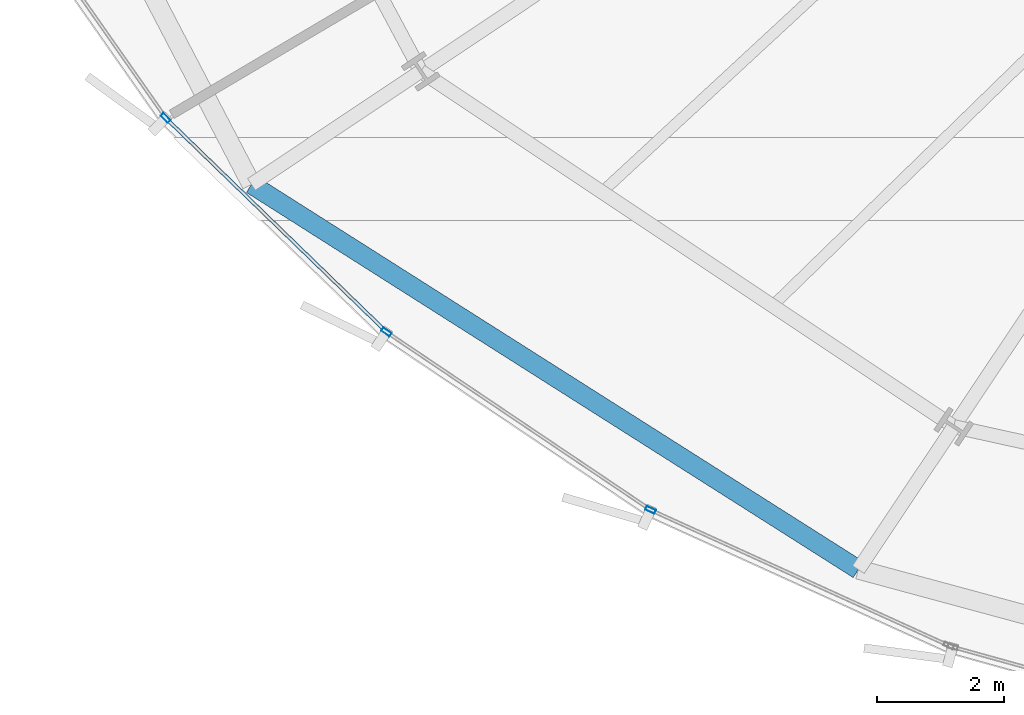
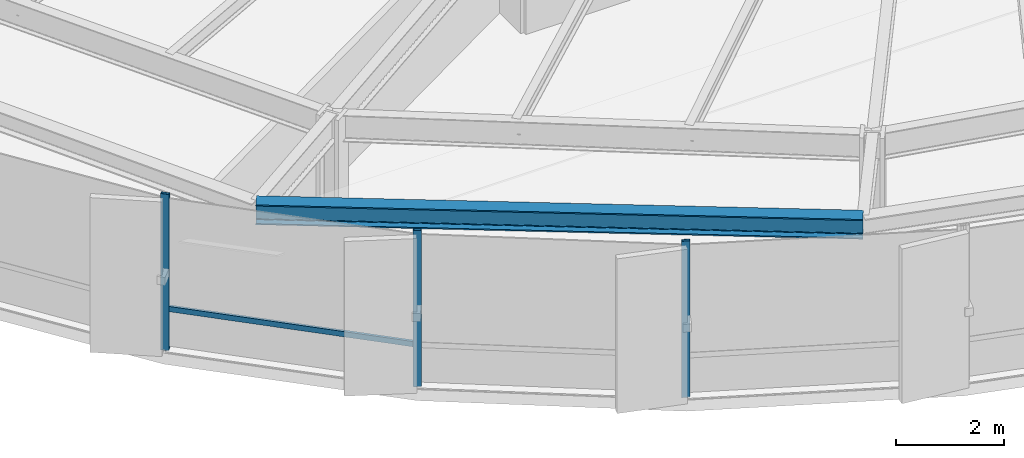
# One storey, part 2 of 38: 4 members, 1 beam, 1 element without a shape of its own.
"""IFC4 building model written with IfcOpenShell, lengths in metres."""

from ifc_helpers import new_model, si_unit, direction, frame, origin, origin_2d, place, context, subcontext, project, spatial, hollow_rectangle, i_section, extrude, source, transform, mapped, material, layer, layer_set, material_profile, profile_set, type_object, element, aggregate, save


model = new_model("IFC4")

# Units and contexts
model_context = context("Model", 3, precision=1e-05, world=origin(), true_north=direction((0.0, 1.0)))
body_context = subcontext(model_context, "Body", "Model", "MODEL_VIEW")
ifc_project = project(units=[si_unit("LENGTHUNIT", "METRE"), si_unit("AREAUNIT", "SQUARE_METRE"), si_unit("VOLUMEUNIT", "CUBIC_METRE"), si_unit("PLANEANGLEUNIT", "RADIAN"), si_unit("MASSUNIT", "GRAM", prefix="KILO"), si_unit("THERMODYNAMICTEMPERATUREUNIT", "KELVIN")], contexts=[model_context])

# Site, building, storey
site_placement = place(None, origin())
site = spatial("IfcSite", under=ifc_project, at=site_placement, CompositionType="ELEMENT")
building_placement = place(site_placement, origin())
building = spatial("IfcBuilding", under=site, at=building_placement, Name="Kethvar Cultural Tower", CompositionType="ELEMENT")
storey_placement = place(building_placement, frame((0.0, 0.0, 52.39990234375)))
storey = spatial("IfcBuildingStorey", under=building, at=storey_placement, Name="L12", CompositionType="ELEMENT", Elevation=52.39990234375)

# Beam
ifc_material_1 = material(Name="Steel S355J2", Category="steel")
ifc_material_profile_1 = material_profile(ifc_material_1, i_section(OverallWidth=0.300048828125, OverallDepth=0.449951171875, WebThickness=0.013916015625, FlangeThickness=0.02587890625, FilletRadius=0.027099609375, at=origin_2d()), Name="Steel S355J2 — HEB450")
ifc_profile_set_1 = profile_set([ifc_material_profile_1], Name="Steel S355J2 — HEB450")
beam_type = type_object("IfcBeamType", Name="BM-SP450", PredefinedType="SPANDREL", material=ifc_profile_set_1)
shared_shape_1 = source(origin(), body_context, "Body", "SweptSolid", [
    extrude(i_section(OverallWidth=0.300048828125, OverallDepth=0.449951171875, WebThickness=0.013916015625, FlangeThickness=0.02587890625, FilletRadius=0.027099609375, at=origin_2d()), origin(), (0.0, 0.0, 1.0), 11.2958984375),
])
beam_placement = place(storey_placement, frame((22.263916015625, 11.405517578125, 3.322998046875), z_axis=(0.844322086524, -0.535835995625, 0.0), x_axis=(0.535835995625, 0.844322086524, 0.0)))
element("IfcBeam", 1, at=beam_placement, inside=storey, type_object=beam_type, Name="L12 Perimeter Spandrel Beam SP-10", PredefinedType="SPANDREL", context=body_context, shape_type="MappedRepresentation", body=[
    mapped(shared_shape_1, transform((0.0, 0.0, 0.0), scale=1.0)),
])

# Curtain wall, members
ifc_material_2 = material(Name="Aluminium 6063-T6", Category="aluminium")
ifc_layer = layer(ifc_material_2, 0.179931640625, Name="Aluminium 6063-T6", Category="aluminium")
ifc_layer_set = layer_set([ifc_layer], Name="Aluminium 6063-T6 (180 mm)")
curtain_wall_type = type_object("IfcCurtainWallType", Name="CW-SYS-02-Z1", PredefinedType="NOTDEFINED", material=ifc_layer_set)
curtain_wall_placement = place(storey_placement, origin())
curtain_wall = element("IfcCurtainWall", 2, at=curtain_wall_placement, inside=storey, type_object=curtain_wall_type, Name="L12 Curtain Wall Run 04", PredefinedType="NOTDEFINED")
ifc_material_profile_2 = material_profile(ifc_material_2, hollow_rectangle(XDim=0.06494140625, YDim=0.159912109375, WallThickness=0.0048828125, at=origin_2d()), Name="Aluminium 6063-T6 — RHS160x65x5")
ifc_profile_set_2 = profile_set([ifc_material_profile_2], Name="Aluminium 6063-T6 — RHS160x65x5")
member_type_1 = type_object("IfcMemberType", Name="CW-SYS-02-Z1-MUL", PredefinedType="MULLION", material=ifc_profile_set_2)
shared_shape_2 = source(origin(), body_context, "Body", "SweptSolid", [
    extrude(hollow_rectangle(XDim=0.06494140625, YDim=0.159912109375, WallThickness=0.0048828125, at=origin_2d()), origin(), (0.0, 0.0, 1.0), 3.550048828125),
])
member_1_placement = place(storey_placement, frame((20.915283203125, 12.4501953125, 0.0), z_axis=(0.0, 0.0, 1.0), x_axis=(0.695887728832, 0.718150589265, 0.0)))
member_1 = element("IfcMember", 3, at=member_1_placement, type_object=member_type_1, Name="CW-L12-R04 Mullion 4", PredefinedType="MULLION", context=body_context, shape_type="MappedRepresentation", body=[
    mapped(shared_shape_2, transform((0.0, 0.0, 0.0), scale=1.0)),
])
member_2_placement = place(storey_placement, frame((24.384521484375, 9.085693359375, 0.0), z_axis=(0.0, 0.0, 1.0), x_axis=(0.558382348132, 0.829583722896, 0.0)))
member_2 = element("IfcMember", 4, at=member_2_placement, type_object=member_type_1, Name="CW-L12-R04 Mullion 5", PredefinedType="MULLION", context=body_context, shape_type="MappedRepresentation", body=[
    mapped(shared_shape_2, transform((0.0, 0.0, 0.0), scale=1.0)),
])
member_3_placement = place(storey_placement, frame((28.535888671875, 6.28955078125, 0.0), z_axis=(0.0, 0.0, 1.0), x_axis=(0.413994320354, 0.910279464074, 0.0)))
member_3 = element("IfcMember", 5, at=member_3_placement, type_object=member_type_1, Name="CW-L12-R04 Mullion 6", PredefinedType="MULLION", context=body_context, shape_type="MappedRepresentation", body=[
    mapped(shared_shape_2, transform((0.0, 0.0, 0.0), scale=1.0)),
])
ifc_material_profile_3 = material_profile(ifc_material_2, hollow_rectangle(XDim=0.054931640625, YDim=0.1201171875, WallThickness=0.00390625, at=origin_2d()), Name="Aluminium 6063-T6 — RHS120x55x4")
ifc_profile_set_3 = profile_set([ifc_material_profile_3], Name="Aluminium 6063-T6 — RHS120x55x4")
member_type_2 = type_object("IfcMemberType", Name="CW-SYS-02-Z1-TRN", PredefinedType="USERDEFINED", material=ifc_profile_set_3)
shared_shape_3 = source(origin(), body_context, "Body", "SweptSolid", [
    extrude(hollow_rectangle(XDim=0.054931640625, YDim=0.1201171875, WallThickness=0.00390625, at=origin_2d()), origin(), (0.0, 0.0, 1.0), 4.760009765625),
])
member_4_placement = place(storey_placement, frame((20.948974609375, 12.41748046875, 0.9501953125), z_axis=(0.718148904056, -0.69588946795, 0.0), x_axis=(0.69588946795, 0.718148904056, 0.0)))
member_4 = element("IfcMember", 6, at=member_4_placement, type_object=member_type_2, Name="CW-L12-R04 Transom 4", ObjectType="TRANSOM", PredefinedType="USERDEFINED", context=body_context, shape_type="MappedRepresentation", body=[
    mapped(shared_shape_3, transform((0.0, 0.0, 0.0), scale=1.0)),
])
aggregate(curtain_wall, [member_1, member_2, member_3, member_4])

save(model, "model.ifc")
